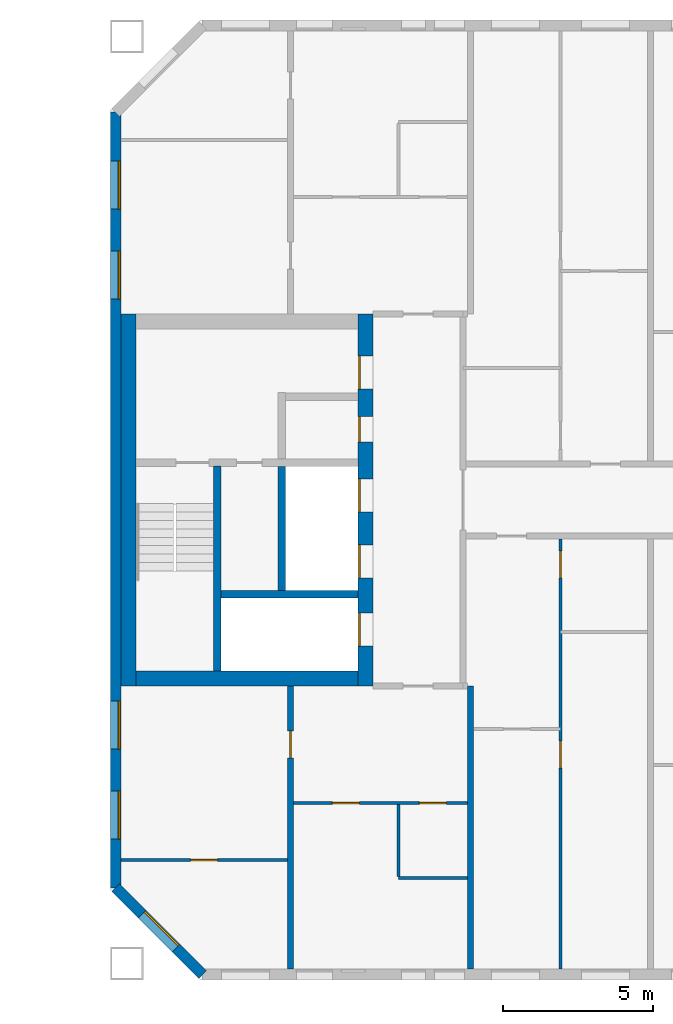
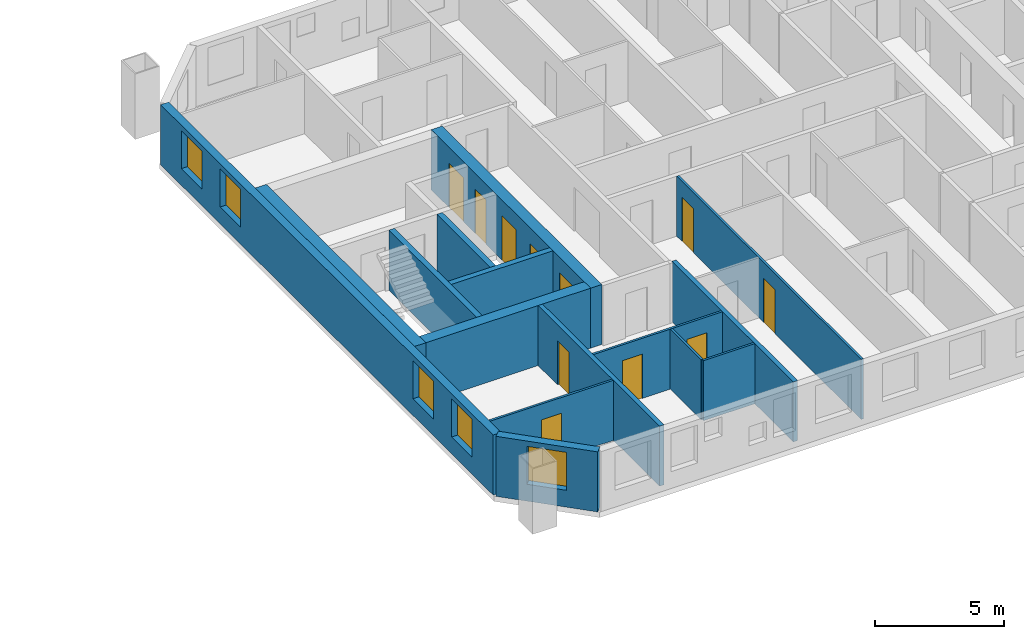
# One storey, part 8 of 15: 15 walls, 11 doors, 5 windows, 16 openings.
"""IFC4 building model written with IfcOpenShell, lengths in metres."""

from ifc_helpers import new_model, si_unit, direction, frame, frame_2d, origin, place, context, subcontext, project, spatial, rectangle, extrude, material, layer, layer_set, type_object, element, fill, save


model = new_model("IFC4")

# Units and contexts
model_context = context("Model", 3, precision=1e-05, world=origin(), true_north=direction((0.0, 1.0)))
body_context = subcontext(model_context, "Body", "Model", "MODEL_VIEW")
ifc_project = project(units=[si_unit("LENGTHUNIT", "METRE"), si_unit("AREAUNIT", "SQUARE_METRE"), si_unit("VOLUMEUNIT", "CUBIC_METRE"), si_unit("PLANEANGLEUNIT", "RADIAN"), si_unit("MASSUNIT", "GRAM", prefix="KILO")], contexts=[model_context])

# Site, building, storey
site_placement = place(None, origin())
site = spatial("IfcSite", under=ifc_project, at=site_placement, CompositionType="ELEMENT")
building_placement = place(site_placement, origin())
building = spatial("IfcBuilding", under=site, at=building_placement, Name="Tuart Gate Housing", CompositionType="ELEMENT")
storey_placement = place(building_placement, frame((0.0, 0.0, 154.699951171875)))
storey = spatial("IfcBuildingStorey", under=building, at=storey_placement, Name="L43", CompositionType="ELEMENT", Elevation=154.699951171875)

# Wall, opening, window
ifc_material_1 = material(Name="Brick", Category="masonry")
ifc_layer_1 = layer(ifc_material_1, 0.360107421875)
ifc_layer_set_1 = layer_set([ifc_layer_1], Name="Brick pier and spandrel wall 360")
wall_type_1 = type_object("IfcWallType", Name="Brick pier and spandrel wall 360", PredefinedType="STANDARD", material=ifc_layer_set_1)
wall_1_placement = place(storey_placement, frame((131.179931640625, 57.07470703125, 0.0), z_axis=(0.0, 0.0, 1.0), x_axis=(0.707106781187, -0.707106781187, 0.0)))
wall_1 = element("IfcWall", 1, at=wall_1_placement, inside=storey, type_object=wall_type_1, Name="External wall B-SW L43", PredefinedType="STANDARD", context=body_context, shape_type="SweptSolid", body=[
    extrude(rectangle(XDim=4.09375, YDim=0.360107421875, at=frame_2d((2.046875, 0.0))), origin(), (0.0, 0.0, 1.0), 2.85009765625),
])
opening_1_placement = place(wall_1_placement, frame((1.2470703125, 0.0, 0.800048828125)))
opening_1 = element("IfcOpeningElement", 2, at=opening_1_placement, cuts=wall_1, Name="Opening W1", PredefinedType="OPENING", context=body_context, shape_type="SweptSolid", body=[
    extrude(rectangle(XDim=1.60009765625, YDim=1.800048828125, at=frame_2d((0.800048828125, 0.89990234375))), frame((0.0, 0.18994140625, 0.0), z_axis=(0.0, -1.0, 0.0), x_axis=(1.0, 0.0, 0.0)), (0.0, 0.0, 1.0), 0.380126953125),
])
ifc_material_2 = material(Name="Aluminium frame with clear glass", Category="aluminium")
window_type = type_object("IfcWindowType", Name="Punched window 1600 x 1800", PartitioningType="SINGLE_PANEL", PredefinedType="WINDOW", material=ifc_material_2)
window_1_placement = place(opening_1_placement, origin())
window_1 = element("IfcWindow", 3, at=window_1_placement, inside=storey, type_object=window_type, Name="Window W1", OverallHeight=1.800048828125, OverallWidth=1.60009765625, PartitioningType="SINGLE_PANEL", PredefinedType="WINDOW", context=body_context, shape_type="SweptSolid", body=[
    extrude(rectangle(XDim=1.60009765625, YDim=1.800048828125, at=frame_2d((0.800048828125, 0.89990234375))), frame((0.0, 0.150146484375, 0.0), z_axis=(0.0, -1.0, 0.0), x_axis=(1.0, 0.0, 0.0)), (0.0, 0.0, 1.0), 0.06005859375),
])
fill(opening_1, window_1)

# Wall, openings, windows
wall_2_placement = place(storey_placement, frame((131.179931640625, 82.92529296875, 0.0), z_axis=(0.0, 0.0, 1.0), x_axis=(0.0, -1.0, 0.0)))
wall_2 = element("IfcWall", 4, at=wall_2_placement, inside=storey, type_object=wall_type_1, Name="External wall B-W L43", PredefinedType="STANDARD", context=body_context, shape_type="SweptSolid", body=[
    extrude(rectangle(XDim=25.850830078125, YDim=0.360107421875, at=frame_2d((12.92529296875, 0.0))), origin(), (0.0, 0.0, 1.0), 2.85009765625),
])
opening_2_placement = place(wall_2_placement, frame((1.62548828125, 0.0, 0.800048828125)))
opening_2 = element("IfcOpeningElement", 5, at=opening_2_placement, cuts=wall_2, Name="Opening W1", PredefinedType="OPENING", context=body_context, shape_type="SweptSolid", body=[
    extrude(rectangle(XDim=1.60009765625, YDim=1.800048828125, at=frame_2d((0.800048828125, 0.89990234375))), frame((0.0, 0.18994140625, 0.0), z_axis=(0.0, -1.0, 0.0), x_axis=(1.0, 0.0, 0.0)), (0.0, 0.0, 1.0), 0.380126953125),
])
opening_3_placement = place(wall_2_placement, frame((4.62548828125, 0.0, 0.800048828125)))
opening_3 = element("IfcOpeningElement", 6, at=opening_3_placement, cuts=wall_2, Name="Opening W1", PredefinedType="OPENING", context=body_context, shape_type="SweptSolid", body=[
    extrude(rectangle(XDim=1.60009765625, YDim=1.800048828125, at=frame_2d((0.800048828125, 0.89990234375))), frame((0.0, 0.18994140625, 0.0), z_axis=(0.0, -1.0, 0.0), x_axis=(1.0, 0.0, 0.0)), (0.0, 0.0, 1.0), 0.380126953125),
])
opening_4_placement = place(wall_2_placement, frame((19.62548828125, 0.0, 0.800048828125)))
opening_4 = element("IfcOpeningElement", 7, at=opening_4_placement, cuts=wall_2, Name="Opening W1", PredefinedType="OPENING", context=body_context, shape_type="SweptSolid", body=[
    extrude(rectangle(XDim=1.60009765625, YDim=1.800048828125, at=frame_2d((0.800048828125, 0.89990234375))), frame((0.0, 0.18994140625, 0.0), z_axis=(0.0, -1.0, 0.0), x_axis=(1.0, 0.0, 0.0)), (0.0, 0.0, 1.0), 0.380126953125),
])
opening_5_placement = place(wall_2_placement, frame((22.62548828125, 0.0, 0.800048828125)))
opening_5 = element("IfcOpeningElement", 8, at=opening_5_placement, cuts=wall_2, Name="Opening W1", PredefinedType="OPENING", context=body_context, shape_type="SweptSolid", body=[
    extrude(rectangle(XDim=1.60009765625, YDim=1.800048828125, at=frame_2d((0.800048828125, 0.89990234375))), frame((0.0, 0.18994140625, 0.0), z_axis=(0.0, -1.0, 0.0), x_axis=(1.0, 0.0, 0.0)), (0.0, 0.0, 1.0), 0.380126953125),
])
window_2_placement = place(opening_2_placement, origin())
window_2 = element("IfcWindow", 9, at=window_2_placement, inside=storey, type_object=window_type, Name="Window W1", OverallHeight=1.800048828125, OverallWidth=1.60009765625, PartitioningType="SINGLE_PANEL", PredefinedType="WINDOW", context=body_context, shape_type="SweptSolid", body=[
    extrude(rectangle(XDim=1.60009765625, YDim=1.800048828125, at=frame_2d((0.800048828125, 0.89990234375))), frame((0.0, 0.150146484375, 0.0), z_axis=(0.0, -1.0, 0.0), x_axis=(1.0, 0.0, 0.0)), (0.0, 0.0, 1.0), 0.06005859375),
])
fill(opening_2, window_2)
window_3_placement = place(opening_3_placement, origin())
window_3 = element("IfcWindow", 10, at=window_3_placement, inside=storey, type_object=window_type, Name="Window W1", OverallHeight=1.800048828125, OverallWidth=1.60009765625, PartitioningType="SINGLE_PANEL", PredefinedType="WINDOW", context=body_context, shape_type="SweptSolid", body=[
    extrude(rectangle(XDim=1.60009765625, YDim=1.800048828125, at=frame_2d((0.800048828125, 0.89990234375))), frame((0.0, 0.150146484375, 0.0), z_axis=(0.0, -1.0, 0.0), x_axis=(1.0, 0.0, 0.0)), (0.0, 0.0, 1.0), 0.06005859375),
])
fill(opening_3, window_3)
window_4_placement = place(opening_4_placement, origin())
window_4 = element("IfcWindow", 11, at=window_4_placement, inside=storey, type_object=window_type, Name="Window W1", OverallHeight=1.800048828125, OverallWidth=1.60009765625, PartitioningType="SINGLE_PANEL", PredefinedType="WINDOW", context=body_context, shape_type="SweptSolid", body=[
    extrude(rectangle(XDim=1.60009765625, YDim=1.800048828125, at=frame_2d((0.800048828125, 0.89990234375))), frame((0.0, 0.150146484375, 0.0), z_axis=(0.0, -1.0, 0.0), x_axis=(1.0, 0.0, 0.0)), (0.0, 0.0, 1.0), 0.06005859375),
])
fill(opening_4, window_4)
window_5_placement = place(opening_5_placement, origin())
window_5 = element("IfcWindow", 12, at=window_5_placement, inside=storey, type_object=window_type, Name="Window W1", OverallHeight=1.800048828125, OverallWidth=1.60009765625, PartitioningType="SINGLE_PANEL", PredefinedType="WINDOW", context=body_context, shape_type="SweptSolid", body=[
    extrude(rectangle(XDim=1.60009765625, YDim=1.800048828125, at=frame_2d((0.800048828125, 0.89990234375))), frame((0.0, 0.150146484375, 0.0), z_axis=(0.0, -1.0, 0.0), x_axis=(1.0, 0.0, 0.0)), (0.0, 0.0, 1.0), 0.06005859375),
])
fill(opening_5, window_5)

# Walls
ifc_material_3 = material(Name="Concrete C40", Category="concrete")
ifc_layer_2 = layer(ifc_material_3, 0.25)
ifc_layer_set_2 = layer_set([ifc_layer_2], Name="Core wall 250 C40")
wall_type_2 = type_object("IfcWallType", Name="Core wall 250 C40", PredefinedType="SHEAR", material=ifc_layer_set_2)
wall_3_placement = place(storey_placement, frame((139.260009765625, 66.85009765625, 0.0), z_axis=(0.0, 0.0, 1.0), x_axis=(-1.0, 0.0, 0.0)))
element("IfcWall", 13, at=wall_3_placement, inside=storey, type_object=wall_type_2, Name="Core wall BG.1", PredefinedType="SHEAR", context=body_context, shape_type="SweptSolid", body=[
    extrude(rectangle(XDim=4.574951171875, YDim=0.25, at=frame_2d((2.28759765625, 0.0))), origin(), (0.0, 0.0, 1.0), 2.85009765625),
])
wall_4_placement = place(storey_placement, frame((136.7099609375, 66.97509765625, 0.0), z_axis=(0.0, 0.0, 1.0), x_axis=(0.0, 1.0, 0.0)))
element("IfcWall", 14, at=wall_4_placement, inside=storey, type_object=wall_type_2, Name="Core wall BG.4", PredefinedType="SHEAR", context=body_context, shape_type="SweptSolid", body=[
    extrude(rectangle(XDim=4.14990234375, YDim=0.25, at=frame_2d((2.074951171875, 0.0))), origin(), (0.0, 0.0, 1.0), 2.85009765625),
])
wall_5_placement = place(storey_placement, frame((134.56005859375, 64.300048828125, 0.0), z_axis=(0.0, 0.0, 1.0), x_axis=(0.0, 1.0, 0.0)))
element("IfcWall", 15, at=wall_5_placement, inside=storey, type_object=wall_type_2, Name="Core wall BG.6", PredefinedType="SHEAR", context=body_context, shape_type="SweptSolid", body=[
    extrude(rectangle(XDim=6.824951171875, YDim=0.25, at=frame_2d((3.41259765625, 0.0))), origin(), (0.0, 0.0, 1.0), 2.85009765625),
])

# Wall, openings, doors
ifc_material_4 = material(Name="Concrete C40", Category="concrete")
ifc_layer_3 = layer(ifc_material_4, 0.5)
ifc_layer_set_3 = layer_set([ifc_layer_3], Name="Core wall 500 C40")
wall_type_3 = type_object("IfcWallType", Name="Core wall 500 C40", PredefinedType="SHEAR", material=ifc_layer_set_3)
wall_6_placement = place(storey_placement, frame((139.510009765625, 63.800048828125, 0.0), z_axis=(0.0, 0.0, 1.0), x_axis=(0.0, 1.0, 0.0)))
wall_6 = element("IfcWall", 16, at=wall_6_placement, inside=storey, type_object=wall_type_3, Name="Core wall BG front", PredefinedType="SHEAR", context=body_context, shape_type="SweptSolid", body=[
    extrude(rectangle(XDim=12.39990234375, YDim=0.5, at=frame_2d((6.199951171875, 0.0))), origin(), (0.0, 0.0, 1.0), 2.85009765625),
])
opening_6_placement = place(wall_6_placement, frame((1.324951171875, 0.0, 0.0)))
opening_6 = element("IfcOpeningElement", 17, at=opening_6_placement, cuts=wall_6, Name="Opening LD-FB1", PredefinedType="OPENING", context=body_context, shape_type="SweptSolid", body=[
    extrude(rectangle(XDim=1.10009765625, YDim=2.10009765625, at=frame_2d((0.550048828125, 1.050048828125))), frame((0.0, 0.260009765625, 0.0), z_axis=(0.0, -1.0, 0.0), x_axis=(1.0, 0.0, 0.0)), (0.0, 0.0, 1.0), 0.52001953125),
])
opening_7_placement = place(wall_6_placement, frame((3.60009765625, 0.0, 0.0)))
opening_7 = element("IfcOpeningElement", 18, at=opening_7_placement, cuts=wall_6, Name="Opening LD-LB1", PredefinedType="OPENING", context=body_context, shape_type="SweptSolid", body=[
    extrude(rectangle(XDim=1.10009765625, YDim=2.10009765625, at=frame_2d((0.550048828125, 1.050048828125))), frame((0.0, 0.260009765625, 0.0), z_axis=(0.0, -1.0, 0.0), x_axis=(1.0, 0.0, 0.0)), (0.0, 0.0, 1.0), 0.52001953125),
])
opening_8_placement = place(wall_6_placement, frame((5.800048828125, 0.0, 0.0)))
opening_8 = element("IfcOpeningElement", 19, at=opening_8_placement, cuts=wall_6, Name="Opening LD-LB2", PredefinedType="OPENING", context=body_context, shape_type="SweptSolid", body=[
    extrude(rectangle(XDim=1.10009765625, YDim=2.10009765625, at=frame_2d((0.550048828125, 1.050048828125))), frame((0.0, 0.260009765625, 0.0), z_axis=(0.0, -1.0, 0.0), x_axis=(1.0, 0.0, 0.0)), (0.0, 0.0, 1.0), 0.52001953125),
])
opening_9_placement = place(wall_6_placement, frame((9.89990234375, 0.0, 0.0)))
opening_9 = element("IfcOpeningElement", 20, at=opening_9_placement, cuts=wall_6, Name="Opening D1594", PredefinedType="OPENING", context=body_context, shape_type="SweptSolid", body=[
    extrude(rectangle(XDim=1.10009765625, YDim=2.10009765625, at=frame_2d((0.550048828125, 1.050048828125))), frame((0.0, 0.260009765625, 0.0), z_axis=(0.0, -1.0, 0.0), x_axis=(1.0, 0.0, 0.0)), (0.0, 0.0, 1.0), 0.52001953125),
])
opening_10_placement = place(wall_6_placement, frame((8.125, 0.0, 0.0)))
opening_10 = element("IfcOpeningElement", 21, at=opening_10_placement, cuts=wall_6, Name="Opening D1595", PredefinedType="OPENING", context=body_context, shape_type="SweptSolid", body=[
    extrude(rectangle(XDim=0.85009765625, YDim=2.10009765625, at=frame_2d((0.425048828125, 1.050048828125))), frame((0.0, 0.260009765625, 0.0), z_axis=(0.0, -1.0, 0.0), x_axis=(1.0, 0.0, 0.0)), (0.0, 0.0, 1.0), 0.52001953125),
])
ifc_material_5 = material(Name="Stainless steel", Category="steel")
door_type_1 = type_object("IfcDoorType", Name="Landing door 1100 x 2100", OperationType="DOUBLE_DOOR_SLIDING", PredefinedType="DOOR", material=ifc_material_5)
door_1_placement = place(opening_6_placement, origin())
door_1 = element("IfcDoor", 22, at=door_1_placement, inside=storey, type_object=door_type_1, Name="Lift landing door FB1", OperationType="DOUBLE_DOOR_SLIDING", OverallHeight=2.10009765625, OverallWidth=1.10009765625, PredefinedType="DOOR", context=body_context, shape_type="SweptSolid", body=[
    extrude(rectangle(XDim=1.10009765625, YDim=2.10009765625, at=frame_2d((0.550048828125, 1.050048828125))), frame((0.0, 0.23486328125, 0.0), z_axis=(0.0, -1.0, 0.0), x_axis=(1.0, 0.0, 0.0)), (0.0, 0.0, 1.0), 0.050048828125),
])
fill(opening_6, door_1)
door_2_placement = place(opening_7_placement, origin())
door_2 = element("IfcDoor", 23, at=door_2_placement, inside=storey, type_object=door_type_1, Name="Lift landing door LB1", OperationType="DOUBLE_DOOR_SLIDING", OverallHeight=2.10009765625, OverallWidth=1.10009765625, PredefinedType="DOOR", context=body_context, shape_type="SweptSolid", body=[
    extrude(rectangle(XDim=1.10009765625, YDim=2.10009765625, at=frame_2d((0.550048828125, 1.050048828125))), frame((0.0, 0.23486328125, 0.0), z_axis=(0.0, -1.0, 0.0), x_axis=(1.0, 0.0, 0.0)), (0.0, 0.0, 1.0), 0.050048828125),
])
fill(opening_7, door_2)
door_3_placement = place(opening_8_placement, origin())
door_3 = element("IfcDoor", 24, at=door_3_placement, inside=storey, type_object=door_type_1, Name="Lift landing door LB2", OperationType="DOUBLE_DOOR_SLIDING", OverallHeight=2.10009765625, OverallWidth=1.10009765625, PredefinedType="DOOR", context=body_context, shape_type="SweptSolid", body=[
    extrude(rectangle(XDim=1.10009765625, YDim=2.10009765625, at=frame_2d((0.550048828125, 1.050048828125))), frame((0.0, 0.23486328125, 0.0), z_axis=(0.0, -1.0, 0.0), x_axis=(1.0, 0.0, 0.0)), (0.0, 0.0, 1.0), 0.050048828125),
])
fill(opening_8, door_3)
ifc_material_6 = material(Name="Steel fire door", Category="steel")
door_type_2 = type_object("IfcDoorType", Name="Lobby door 1100 x 2100", OperationType="SINGLE_SWING_LEFT", PredefinedType="DOOR", material=ifc_material_6)
door_4_placement = place(opening_9_placement, origin())
door_4 = element("IfcDoor", 25, at=door_4_placement, inside=storey, type_object=door_type_2, Name="Lobby entry door BG.EN", OperationType="SINGLE_SWING_LEFT", OverallHeight=2.10009765625, OverallWidth=1.10009765625, PredefinedType="DOOR", context=body_context, shape_type="SweptSolid", body=[
    extrude(rectangle(XDim=1.10009765625, YDim=2.10009765625, at=frame_2d((0.550048828125, 1.050048828125))), frame((0.0, 0.23486328125, 0.0), z_axis=(0.0, -1.0, 0.0), x_axis=(1.0, 0.0, 0.0)), (0.0, 0.0, 1.0), 0.050048828125),
])
fill(opening_9, door_4)
ifc_material_7 = material(Name="Steel fire door", Category="steel")
door_type_3 = type_object("IfcDoorType", Name="Service door 850 x 2100", OperationType="SINGLE_SWING_LEFT", PredefinedType="DOOR", material=ifc_material_7)
door_5_placement = place(opening_10_placement, origin())
door_5 = element("IfcDoor", 26, at=door_5_placement, inside=storey, type_object=door_type_3, Name="Service room door BG.T1", OperationType="SINGLE_SWING_LEFT", OverallHeight=2.10009765625, OverallWidth=0.85009765625, PredefinedType="DOOR", context=body_context, shape_type="SweptSolid", body=[
    extrude(rectangle(XDim=0.85009765625, YDim=2.10009765625, at=frame_2d((0.425048828125, 1.050048828125))), frame((0.0, 0.23486328125, 0.0), z_axis=(0.0, -1.0, 0.0), x_axis=(1.0, 0.0, 0.0)), (0.0, 0.0, 1.0), 0.050048828125),
])
fill(opening_10, door_5)

# Walls
wall_7_placement = place(storey_placement, frame((131.610107421875, 63.800048828125, 0.0), z_axis=(0.0, 0.0, 1.0), x_axis=(0.0, 1.0, 0.0)))
element("IfcWall", 27, at=wall_7_placement, inside=storey, type_object=wall_type_3, Name="Core wall BG back", PredefinedType="SHEAR", context=body_context, shape_type="SweptSolid", body=[
    extrude(rectangle(XDim=12.39990234375, YDim=0.5, at=frame_2d((6.199951171875, 0.0))), origin(), (0.0, 0.0, 1.0), 2.85009765625),
])
wall_8_placement = place(storey_placement, frame((139.260009765625, 64.050048828125, 0.0), z_axis=(0.0, 0.0, 1.0), x_axis=(-1.0, 0.0, 0.0)))
element("IfcWall", 28, at=wall_8_placement, inside=storey, type_object=wall_type_3, Name="Core wall BG south", PredefinedType="SHEAR", context=body_context, shape_type="SweptSolid", body=[
    extrude(rectangle(XDim=7.39990234375, YDim=0.5, at=frame_2d((3.699951171875, 0.0))), origin(), (0.0, 0.0, 1.0), 2.85009765625),
])
ifc_material_8 = material(Name="Gypsum board on steel studs", Category="steel")
ifc_layer_4 = layer(ifc_material_8, 0.10009765625)
ifc_layer_set_4 = layer_set([ifc_layer_4], Name="Partition 100")
wall_type_4 = type_object("IfcWallType", Name="Partition 100", PredefinedType="PARTITIONING", material=ifc_layer_set_4)
wall_9_placement = place(storey_placement, frame((140.60009765625, 57.39990234375, 0.0), z_axis=(0.0, 0.0, 1.0), x_axis=(1.0, 0.0, 0.0)))
element("IfcWall", 29, at=wall_9_placement, inside=storey, type_object=wall_type_4, Name="Partition 100", PredefinedType="PARTITIONING", context=body_context, shape_type="SweptSolid", body=[
    extrude(rectangle(XDim=2.2998046875, YDim=0.10009765625, at=frame_2d((1.14990234375, 0.0))), origin(), (0.0, 0.0, 1.0), 2.85009765625),
])

# Wall, opening, door
wall_10_placement = place(storey_placement, frame((131.360107421875, 58.0, 0.0), z_axis=(0.0, 0.0, 1.0), x_axis=(1.0, 0.0, 0.0)))
wall_10 = element("IfcWall", 30, at=wall_10_placement, inside=storey, type_object=wall_type_4, Name="Partition 100", PredefinedType="PARTITIONING", context=body_context, shape_type="SweptSolid", body=[
    extrude(rectangle(XDim=5.539794921875, YDim=0.10009765625, at=frame_2d((2.77001953125, 0.0))), origin(), (0.0, 0.0, 1.0), 2.85009765625),
])
opening_11_placement = place(wall_10_placement, frame((2.320068359375, 0.0, 0.0)))
opening_11 = element("IfcOpeningElement", 31, at=opening_11_placement, cuts=wall_10, Name="Opening D1620", PredefinedType="OPENING", context=body_context, shape_type="SweptSolid", body=[
    extrude(rectangle(XDim=0.89990234375, YDim=2.10009765625, at=frame_2d((0.449951171875, 1.050048828125))), frame((0.0, 0.06005859375, 0.0), z_axis=(0.0, -1.0, 0.0), x_axis=(1.0, 0.0, 0.0)), (0.0, 0.0, 1.0), 0.1201171875),
])
ifc_material_9 = material(Name="Timber door leaf in steel frame", Category="steel")
door_type_4 = type_object("IfcDoorType", Name="Internal door 900 RH", OperationType="SINGLE_SWING_RIGHT", PredefinedType="DOOR", material=ifc_material_9)
door_6_placement = place(opening_11_placement, frame((0.89990234375, 0.0, 0.0), z_axis=(0.0, 0.0, 1.0), x_axis=(-1.0, 0.0, 0.0)))
door_6 = element("IfcDoor", 32, at=door_6_placement, inside=storey, type_object=door_type_4, Name="Internal door", OperationType="SINGLE_SWING_RIGHT", OverallHeight=2.10009765625, OverallWidth=0.89990234375, PredefinedType="DOOR", context=body_context, shape_type="SweptSolid", body=[
    extrude(rectangle(XDim=0.89990234375, YDim=2.10009765625, at=frame_2d((0.449951171875, 1.050048828125))), frame((0.0, 0.025146484375, 0.0), z_axis=(0.0, -1.0, 0.0), x_axis=(1.0, 0.0, 0.0)), (0.0, 0.0, 1.0), 0.050048828125),
])
fill(opening_11, door_6)

# Wall, openings, doors
wall_11_placement = place(storey_placement, frame((137.10009765625, 59.89990234375, 0.0), z_axis=(0.0, 0.0, 1.0), x_axis=(1.0, 0.0, 0.0)))
wall_11 = element("IfcWall", 33, at=wall_11_placement, inside=storey, type_object=wall_type_4, Name="Partition 100", PredefinedType="PARTITIONING", context=body_context, shape_type="SweptSolid", body=[
    extrude(rectangle(XDim=5.7998046875, YDim=0.10009765625, at=frame_2d((2.89990234375, 0.0))), origin(), (0.0, 0.0, 1.0), 2.85009765625),
])
opening_12_placement = place(wall_11_placement, frame((1.300048828125, 0.0, 0.0)))
opening_12 = element("IfcOpeningElement", 34, at=opening_12_placement, cuts=wall_11, Name="Opening D1617", PredefinedType="OPENING", context=body_context, shape_type="SweptSolid", body=[
    extrude(rectangle(XDim=0.89990234375, YDim=2.10009765625, at=frame_2d((0.449951171875, 1.050048828125))), frame((0.0, 0.06005859375, 0.0), z_axis=(0.0, -1.0, 0.0), x_axis=(1.0, 0.0, 0.0)), (0.0, 0.0, 1.0), 0.1201171875),
])
opening_13_placement = place(wall_11_placement, frame((4.199951171875, 0.0, 0.0)))
opening_13 = element("IfcOpeningElement", 35, at=opening_13_placement, cuts=wall_11, Name="Opening D1616", PredefinedType="OPENING", context=body_context, shape_type="SweptSolid", body=[
    extrude(rectangle(XDim=0.89990234375, YDim=2.10009765625, at=frame_2d((0.449951171875, 1.050048828125))), frame((0.0, 0.06005859375, 0.0), z_axis=(0.0, -1.0, 0.0), x_axis=(1.0, 0.0, 0.0)), (0.0, 0.0, 1.0), 0.1201171875),
])
ifc_material_10 = material(Name="Timber door leaf in steel frame", Category="steel")
door_type_5 = type_object("IfcDoorType", Name="Bathroom door 900 RH", OperationType="SINGLE_SWING_RIGHT", PredefinedType="DOOR", material=ifc_material_10)
door_7_placement = place(opening_13_placement, frame((0.89990234375, 0.0, 0.0), z_axis=(0.0, 0.0, 1.0), x_axis=(-1.0, 0.0, 0.0)))
door_7 = element("IfcDoor", 36, at=door_7_placement, inside=storey, type_object=door_type_5, Name="Bathroom door", OperationType="SINGLE_SWING_RIGHT", OverallHeight=2.10009765625, OverallWidth=0.89990234375, PredefinedType="DOOR", context=body_context, shape_type="SweptSolid", body=[
    extrude(rectangle(XDim=0.89990234375, YDim=2.10009765625, at=frame_2d((0.449951171875, 1.050048828125))), frame((0.0, 0.025146484375, 0.0), z_axis=(0.0, -1.0, 0.0), x_axis=(1.0, 0.0, 0.0)), (0.0, 0.0, 1.0), 0.050048828125),
])
fill(opening_13, door_7)
ifc_material_11 = material(Name="Timber door leaf in steel frame", Category="steel")
door_type_6 = type_object("IfcDoorType", Name="Internal door 900", OperationType="SINGLE_SWING_LEFT", PredefinedType="DOOR", material=ifc_material_11)
door_8_placement = place(opening_12_placement, frame((0.89990234375, 0.0, 0.0), z_axis=(0.0, 0.0, 1.0), x_axis=(-1.0, 0.0, 0.0)))
door_8 = element("IfcDoor", 37, at=door_8_placement, inside=storey, type_object=door_type_6, Name="Internal door", OperationType="SINGLE_SWING_LEFT", OverallHeight=2.10009765625, OverallWidth=0.89990234375, PredefinedType="DOOR", context=body_context, shape_type="SweptSolid", body=[
    extrude(rectangle(XDim=0.89990234375, YDim=2.10009765625, at=frame_2d((0.449951171875, 1.050048828125))), frame((0.0, 0.025146484375, 0.0), z_axis=(0.0, -1.0, 0.0), x_axis=(1.0, 0.0, 0.0)), (0.0, 0.0, 1.0), 0.050048828125),
])
fill(opening_12, door_8)

# Wall
wall_12_placement = place(storey_placement, frame((140.60009765625, 57.449951171875, 0.0), z_axis=(0.0, 0.0, 1.0), x_axis=(0.0, 1.0, 0.0)))
element("IfcWall", 38, at=wall_12_placement, inside=storey, type_object=wall_type_4, Name="Partition 100", PredefinedType="PARTITIONING", context=body_context, shape_type="SweptSolid", body=[
    extrude(rectangle(XDim=2.400146484375, YDim=0.10009765625, at=frame_2d((1.2001953125, 0.0))), origin(), (0.0, 0.0, 1.0), 2.85009765625),
])

# Wall, openings, doors
wall_13_placement = place(storey_placement, frame((146.0, 54.360107421875, 0.0), z_axis=(0.0, 0.0, 1.0), x_axis=(0.0, 1.0, 0.0)))
wall_13 = element("IfcWall", 39, at=wall_13_placement, inside=storey, type_object=wall_type_4, Name="Partition 100", PredefinedType="PARTITIONING", context=body_context, shape_type="SweptSolid", body=[
    extrude(rectangle(XDim=14.33984375, YDim=0.10009765625, at=frame_2d((7.169921875, 0.0))), origin(), (0.0, 0.0, 1.0), 2.85009765625),
])
opening_14_placement = place(wall_13_placement, frame((6.699951171875, 0.0, 0.0)))
opening_14 = element("IfcOpeningElement", 40, at=opening_14_placement, cuts=wall_13, Name="Opening D1610", PredefinedType="OPENING", context=body_context, shape_type="SweptSolid", body=[
    extrude(rectangle(XDim=0.89990234375, YDim=2.10009765625, at=frame_2d((0.449951171875, 1.050048828125))), frame((0.0, 0.06005859375, 0.0), z_axis=(0.0, -1.0, 0.0), x_axis=(1.0, 0.0, 0.0)), (0.0, 0.0, 1.0), 0.1201171875),
])
opening_15_placement = place(wall_13_placement, frame((13.0400390625, 0.0, 0.0)))
opening_15 = element("IfcOpeningElement", 41, at=opening_15_placement, cuts=wall_13, Name="Opening D1609", PredefinedType="OPENING", context=body_context, shape_type="SweptSolid", body=[
    extrude(rectangle(XDim=0.89990234375, YDim=2.10009765625, at=frame_2d((0.449951171875, 1.050048828125))), frame((0.0, 0.06005859375, 0.0), z_axis=(0.0, -1.0, 0.0), x_axis=(1.0, 0.0, 0.0)), (0.0, 0.0, 1.0), 0.1201171875),
])
ifc_material_12 = material(Name="Timber door leaf in steel frame", Category="steel")
door_type_7 = type_object("IfcDoorType", Name="Bathroom door 900", OperationType="SINGLE_SWING_LEFT", PredefinedType="DOOR", material=ifc_material_12)
door_9_placement = place(opening_15_placement, frame((0.89990234375, 0.0, 0.0), z_axis=(0.0, 0.0, 1.0), x_axis=(-1.0, 0.0, 0.0)))
door_9 = element("IfcDoor", 42, at=door_9_placement, inside=storey, type_object=door_type_7, Name="Bathroom door", OperationType="SINGLE_SWING_LEFT", OverallHeight=2.10009765625, OverallWidth=0.89990234375, PredefinedType="DOOR", context=body_context, shape_type="SweptSolid", body=[
    extrude(rectangle(XDim=0.89990234375, YDim=2.10009765625, at=frame_2d((0.449951171875, 1.050048828125))), frame((0.0, 0.025146484375, 0.0), z_axis=(0.0, -1.0, 0.0), x_axis=(1.0, 0.0, 0.0)), (0.0, 0.0, 1.0), 0.050048828125),
])
fill(opening_15, door_9)
door_10_placement = place(opening_14_placement, frame((0.89990234375, 0.0, 0.0), z_axis=(0.0, 0.0, 1.0), x_axis=(-1.0, 0.0, 0.0)))
door_10 = element("IfcDoor", 43, at=door_10_placement, inside=storey, type_object=door_type_6, Name="Internal door", OperationType="SINGLE_SWING_LEFT", OverallHeight=2.10009765625, OverallWidth=0.89990234375, PredefinedType="DOOR", context=body_context, shape_type="SweptSolid", body=[
    extrude(rectangle(XDim=0.89990234375, YDim=2.10009765625, at=frame_2d((0.449951171875, 1.050048828125))), frame((0.0, 0.025146484375, 0.0), z_axis=(0.0, -1.0, 0.0), x_axis=(1.0, 0.0, 0.0)), (0.0, 0.0, 1.0), 0.050048828125),
])
fill(opening_14, door_10)

# Wall, opening, door
ifc_material_13 = material(Name="Concrete C40", Category="concrete")
ifc_layer_5 = layer(ifc_material_13, 0.199951171875)
ifc_layer_set_5 = layer_set([ifc_layer_5], Name="Party wall concrete C40 200")
wall_type_5 = type_object("IfcWallType", Name="Party wall concrete C40 200", PredefinedType="SOLIDWALL", material=ifc_layer_set_5)
wall_14_placement = place(storey_placement, frame((137.0, 54.360107421875, 0.0), z_axis=(0.0, 0.0, 1.0), x_axis=(0.0, 1.0, 0.0)))
wall_14 = element("IfcWall", 44, at=wall_14_placement, inside=storey, type_object=wall_type_5, Name="Party wall concrete C40 200", PredefinedType="SOLIDWALL", context=body_context, shape_type="SweptSolid", body=[
    extrude(rectangle(XDim=9.43994140625, YDim=0.199951171875, at=frame_2d((4.719970703125, 0.0))), origin(), (0.0, 0.0, 1.0), 2.85009765625),
])
opening_16_placement = place(wall_14_placement, frame((7.0400390625, 0.0, 0.0)))
opening_16 = element("IfcOpeningElement", 45, at=opening_16_placement, cuts=wall_14, Name="Opening D1619", PredefinedType="OPENING", context=body_context, shape_type="SweptSolid", body=[
    extrude(rectangle(XDim=0.89990234375, YDim=2.10009765625, at=frame_2d((0.449951171875, 1.050048828125))), frame((0.0, 0.10986328125, 0.0), z_axis=(0.0, -1.0, 0.0), x_axis=(1.0, 0.0, 0.0)), (0.0, 0.0, 1.0), 0.219970703125),
])
door_11_placement = place(opening_16_placement, frame((0.89990234375, 0.0, 0.0), z_axis=(0.0, 0.0, 1.0), x_axis=(-1.0, 0.0, 0.0)))
door_11 = element("IfcDoor", 46, at=door_11_placement, inside=storey, type_object=door_type_4, Name="Internal door", OperationType="SINGLE_SWING_RIGHT", OverallHeight=2.10009765625, OverallWidth=0.89990234375, PredefinedType="DOOR", context=body_context, shape_type="SweptSolid", body=[
    extrude(rectangle(XDim=0.89990234375, YDim=2.10009765625, at=frame_2d((0.449951171875, 1.050048828125))), frame((0.0, 0.025146484375, 0.0), z_axis=(0.0, -1.0, 0.0), x_axis=(1.0, 0.0, 0.0)), (0.0, 0.0, 1.0), 0.050048828125),
])
fill(opening_16, door_11)

# Wall
wall_15_placement = place(storey_placement, frame((143.0, 54.360107421875, 0.0), z_axis=(0.0, 0.0, 1.0), x_axis=(0.0, 1.0, 0.0)))
element("IfcWall", 47, at=wall_15_placement, inside=storey, type_object=wall_type_5, Name="Party wall concrete C40 200", PredefinedType="SOLIDWALL", context=body_context, shape_type="SweptSolid", body=[
    extrude(rectangle(XDim=9.43994140625, YDim=0.199951171875, at=frame_2d((4.719970703125, 0.0))), origin(), (0.0, 0.0, 1.0), 2.85009765625),
])

save(model, "model.ifc")
